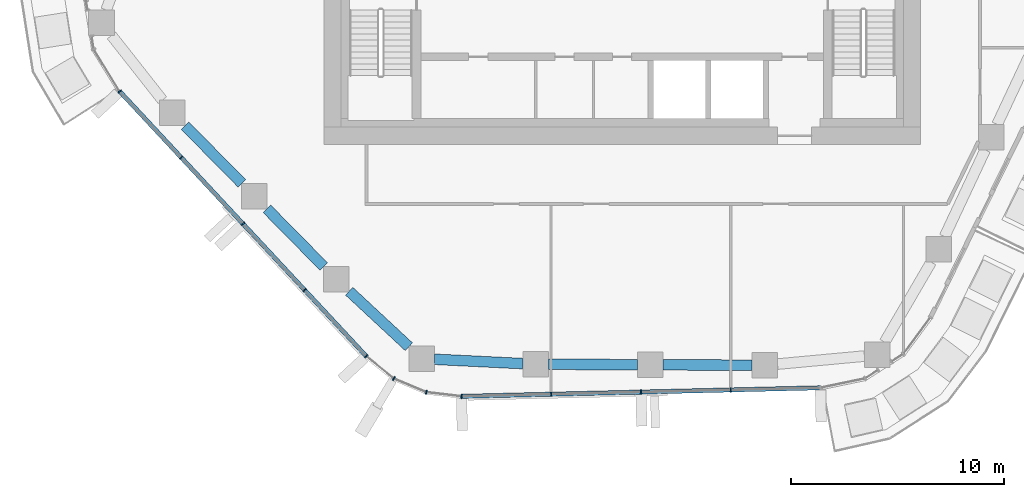
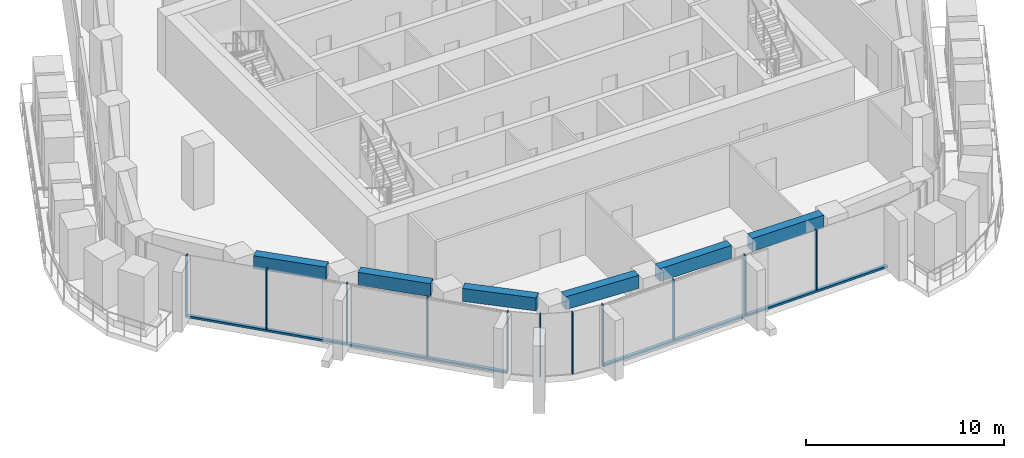
# One storey, part 2 of 17: 13 members, 6 beams, 4 elements without a shape of their own.
"""IFC4 building model written with IfcOpenShell, lengths in metres."""

from ifc_helpers import new_model, si_unit, direction, frame, origin, origin_2d, place, context, subcontext, project, spatial, rectangle, extrude, material, layer, layer_set, material_profile, profile_set, type_object, element, aggregate, save


model = new_model("IFC4")

# Units and contexts
model_context = context("Model", 3, precision=1e-05, world=origin(), true_north=direction((0.0, 1.0)))
body_context = subcontext(model_context, "Body", "Model", "MODEL_VIEW")
ifc_project = project(units=[si_unit("LENGTHUNIT", "METRE"), si_unit("AREAUNIT", "SQUARE_METRE"), si_unit("VOLUMEUNIT", "CUBIC_METRE"), si_unit("PLANEANGLEUNIT", "RADIAN"), si_unit("MASSUNIT", "GRAM", prefix="KILO")], contexts=[model_context])

# Site, building, storey
site_placement = place(None, origin())
site = spatial("IfcSite", under=ifc_project, at=site_placement, CompositionType="ELEMENT")
building_placement = place(site_placement, origin())
building = spatial("IfcBuilding", under=site, at=building_placement, Name="Dongbaek Canopy Tower", CompositionType="ELEMENT")
storey_placement = place(building_placement, frame((0.0, 0.0, 211.39990234375)))
storey = spatial("IfcBuildingStorey", under=building, at=storey_placement, Name="L44", CompositionType="ELEMENT", Elevation=211.39990234375)

# Curtain wall, member
ifc_material_1 = material(Name="Aluminium 6063-T6 pale anodised", Category="aluminium")
ifc_layer = layer(ifc_material_1, 0.199951171875)
ifc_layer_set = layer_set([ifc_layer], Name="CW-1 unitised tower curtain wall")
curtain_wall_type = type_object("IfcCurtainWallType", Name="CW-1 unitised tower curtain wall", PredefinedType="NOTDEFINED", material=ifc_layer_set)
curtain_wall_1_placement = place(storey_placement, origin())
curtain_wall_1 = element("IfcCurtainWall", 1, at=curtain_wall_1_placement, inside=storey, type_object=curtain_wall_type, Name="CW-1 curtain wall K3.1b", PredefinedType="NOTDEFINED")
ifc_material_2 = material(Name="Aluminium 6063-T6 pale anodised", Category="aluminium")
ifc_material_profile_1 = material_profile(ifc_material_2, rectangle(XDim=0.199951171875, YDim=0.06005859375, at=origin_2d()), Name="CW-1 mullion 60 x 200")
ifc_profile_set_1 = profile_set([ifc_material_profile_1], Name="Aluminium 6063-T6 pale anodised")
member_type_1 = type_object("IfcMemberType", Name="CW-1 mullion 60 x 200", PredefinedType="MULLION", material=ifc_profile_set_1)
member_1_placement = place(storey_placement, frame((-23.57958984375, -8.519775390625, 0.0), z_axis=(0.0, 0.0, 1.0), x_axis=(-0.85162616267, -0.52414967238, 0.0)))
member_1 = element("IfcMember", 2, at=member_1_placement, type_object=member_type_1, Name="CW-1 mullion K3.1b.3", PredefinedType="MULLION", context=body_context, shape_type="SweptSolid", body=[
    extrude(rectangle(XDim=0.199951171875, YDim=0.06005859375, at=origin_2d()), origin(), (0.0, 0.0, 1.0), 3.820068359375),
])
aggregate(curtain_wall_1, [member_1])

# Curtain wall, members
curtain_wall_2_placement = place(storey_placement, origin())
curtain_wall_2 = element("IfcCurtainWall", 3, at=curtain_wall_2_placement, inside=storey, type_object=curtain_wall_type, Name="CW-1 curtain wall F3.1", PredefinedType="NOTDEFINED")
member_2_placement = place(storey_placement, frame((-20.6904296875, -11.622802734375, 0.1201171875), z_axis=(0.0, 0.0, 1.0), x_axis=(-0.73191359076, -0.681397457921, 0.0)))
member_2 = element("IfcMember", 4, at=member_2_placement, type_object=member_type_1, Name="CW-1 mullion F3.1.2", PredefinedType="MULLION", context=body_context, shape_type="SweptSolid", body=[
    extrude(rectangle(XDim=0.199951171875, YDim=0.06005859375, at=origin_2d()), origin(), (0.0, 0.0, 1.0), 3.699951171875),
])
member_3_placement = place(storey_placement, frame((-17.794921875, -14.733154296875, 0.1201171875), z_axis=(0.0, 0.0, 1.0), x_axis=(-0.73191359076, -0.681397457921, 0.0)))
member_3 = element("IfcMember", 5, at=member_3_placement, type_object=member_type_1, Name="CW-1 mullion F3.1.3", PredefinedType="MULLION", context=body_context, shape_type="SweptSolid", body=[
    extrude(rectangle(XDim=0.199951171875, YDim=0.06005859375, at=origin_2d()), origin(), (0.0, 0.0, 1.0), 3.699951171875),
])
member_4_placement = place(storey_placement, frame((-14.899169921875, -17.84375, 0.1201171875), z_axis=(0.0, 0.0, 1.0), x_axis=(-0.73191359076, -0.681397457921, 0.0)))
member_4 = element("IfcMember", 6, at=member_4_placement, type_object=member_type_1, Name="CW-1 mullion F3.1.4", PredefinedType="MULLION", context=body_context, shape_type="SweptSolid", body=[
    extrude(rectangle(XDim=0.199951171875, YDim=0.06005859375, at=origin_2d()), origin(), (0.0, 0.0, 1.0), 3.699951171875),
])
member_5_placement = place(storey_placement, frame((-12.00830078125, -20.948974609375, 0.1201171875), z_axis=(0.0, 0.0, 1.0), x_axis=(-0.73191359076, -0.681397457921, 0.0)))
member_5 = element("IfcMember", 7, at=member_5_placement, type_object=member_type_1, Name="CW-1 mullion F3.1.5", PredefinedType="MULLION", context=body_context, shape_type="SweptSolid", body=[
    extrude(rectangle(XDim=0.199951171875, YDim=0.06005859375, at=origin_2d()), origin(), (0.0, 0.0, 1.0), 3.699951171875),
])

curtain_wall_3_placement = place(storey_placement, origin())
curtain_wall_3 = element("IfcCurtainWall", 8, at=curtain_wall_3_placement, inside=storey, type_object=curtain_wall_type, Name="CW-1 curtain wall K4.1", PredefinedType="NOTDEFINED")
member_6_placement = place(storey_placement, frame((-10.71533203125, -21.9951171875, 0.0), z_axis=(0.0, 0.0, 1.0), x_axis=(-0.513678785815, -0.857982578497, 0.0)))
member_6 = element("IfcMember", 9, at=member_6_placement, type_object=member_type_1, Name="CW-1 mullion K4.1.2", PredefinedType="MULLION", context=body_context, shape_type="SweptSolid", body=[
    extrude(rectangle(XDim=0.199951171875, YDim=0.06005859375, at=origin_2d()), origin(), (0.0, 0.0, 1.0), 3.820068359375),
])
member_7_placement = place(storey_placement, frame((-9.189208984375, -22.637939453125, 0.0), z_axis=(0.0, 0.0, 1.0), x_axis=(-0.254961605633, -0.966951177492, 0.0)))
member_7 = element("IfcMember", 10, at=member_7_placement, type_object=member_type_1, Name="CW-1 mullion K4.1.3", PredefinedType="MULLION", context=body_context, shape_type="SweptSolid", body=[
    extrude(rectangle(XDim=0.199951171875, YDim=0.06005859375, at=origin_2d()), origin(), (0.0, 0.0, 1.0), 3.820068359375),
])
member_8_placement = place(storey_placement, frame((-7.537353515625, -22.83203125, 0.0), z_axis=(0.0, 0.0, 1.0), x_axis=(-0.116711873708, -0.993165816234, 0.0)))
member_8 = element("IfcMember", 11, at=member_8_placement, type_object=member_type_1, Name="CW-1 mullion K4.1.4", PredefinedType="MULLION", context=body_context, shape_type="SweptSolid", body=[
    extrude(rectangle(XDim=0.199951171875, YDim=0.06005859375, at=origin_2d()), origin(), (0.0, 0.0, 1.0), 3.820068359375),
])
aggregate(curtain_wall_3, [member_6, member_7, member_8])

curtain_wall_4_placement = place(storey_placement, origin())
curtain_wall_4 = element("IfcCurtainWall", 12, at=curtain_wall_4_placement, inside=storey, type_object=curtain_wall_type, Name="CW-1 curtain wall F4.1", PredefinedType="NOTDEFINED")
member_9_placement = place(storey_placement, frame((-3.329345703125, -22.7314453125, 0.1201171875), z_axis=(0.0, 0.0, 1.0), x_axis=(0.023848776152, -0.99971557749, 0.0)))
member_9 = element("IfcMember", 13, at=member_9_placement, type_object=member_type_1, Name="CW-1 mullion F4.1.2", PredefinedType="MULLION", context=body_context, shape_type="SweptSolid", body=[
    extrude(rectangle(XDim=0.199951171875, YDim=0.06005859375, at=origin_2d()), origin(), (0.0, 0.0, 1.0), 3.699951171875),
])
member_10_placement = place(storey_placement, frame((0.8857421875, -22.631103515625, 0.1201171875), z_axis=(0.0, 0.0, 1.0), x_axis=(0.023848776152, -0.99971557749, 0.0)))
member_10 = element("IfcMember", 14, at=member_10_placement, type_object=member_type_1, Name="CW-1 mullion F4.1.3", PredefinedType="MULLION", context=body_context, shape_type="SweptSolid", body=[
    extrude(rectangle(XDim=0.199951171875, YDim=0.06005859375, at=origin_2d()), origin(), (0.0, 0.0, 1.0), 3.699951171875),
])
member_11_placement = place(storey_placement, frame((5.100830078125, -22.530517578125, 0.1201171875), z_axis=(0.0, 0.0, 1.0), x_axis=(0.023848776152, -0.99971557749, 0.0)))
member_11 = element("IfcMember", 15, at=member_11_placement, type_object=member_type_1, Name="CW-1 mullion F4.1.4", PredefinedType="MULLION", context=body_context, shape_type="SweptSolid", body=[
    extrude(rectangle(XDim=0.199951171875, YDim=0.06005859375, at=origin_2d()), origin(), (0.0, 0.0, 1.0), 3.699951171875),
])

# Member
ifc_material_3 = material(Name="Aluminium 6063-T6 pale anodised", Category="aluminium")
ifc_material_profile_2 = material_profile(ifc_material_3, rectangle(XDim=0.199951171875, YDim=0.1201171875, at=origin_2d()), Name="CW-1 transom 120 x 200")
ifc_profile_set_2 = profile_set([ifc_material_profile_2], Name="Aluminium 6063-T6 pale anodised")
member_type_2 = type_object("IfcMemberType", Name="CW-1 transom 120 x 200", PredefinedType="USERDEFINED", material=ifc_profile_set_2)
member_12_placement = place(storey_placement, frame((-23.57958984375, -8.519775390625, 0.06005859375), z_axis=(0.681395689775, -0.731915236865, 0.0), x_axis=(0.731915236865, 0.681395689775, 0.0)))
member_12 = element("IfcMember", 16, at=member_12_placement, type_object=member_type_2, Name="CW-1 transom F3.1.1", ObjectType="TRANSOM", PredefinedType="USERDEFINED", context=body_context, shape_type="SweptSolid", body=[
    extrude(rectangle(XDim=0.199951171875, YDim=0.1201171875, at=origin_2d()), origin(), (0.0, 0.0, 1.0), 16.981689453125),
])

aggregate(curtain_wall_2, [member_2, member_3, member_4, member_5, member_12])

member_13_placement = place(storey_placement, frame((-7.537353515625, -22.83203125, 0.06005859375), z_axis=(0.999715531448, 0.023850706083, 0.0), x_axis=(-0.023850706083, 0.999715531448, 0.0)))
member_13 = element("IfcMember", 17, at=member_13_placement, type_object=member_type_2, Name="CW-1 transom F4.1.1", ObjectType="TRANSOM", PredefinedType="USERDEFINED", context=body_context, shape_type="SweptSolid", body=[
    extrude(rectangle(XDim=0.199951171875, YDim=0.1201171875, at=origin_2d()), origin(), (0.0, 0.0, 1.0), 16.848876953125),
])

aggregate(curtain_wall_4, [member_9, member_10, member_11, member_13])

# Beams
ifc_material_4 = material(Name="Concrete C70", Category="concrete")
ifc_material_profile_3 = material_profile(ifc_material_4, rectangle(XDim=0.5, YDim=0.800048828125, at=origin_2d()), Name="RC EDGE BEAM 500x800 C70")
ifc_profile_set_3 = profile_set([ifc_material_profile_3], Name="Concrete C70")
beam_type = type_object("IfcBeamType", Name="RC EDGE BEAM 500x800 C70", PredefinedType="BEAM", material=ifc_profile_set_3)
beam_1_placement = place(storey_placement, frame((6.097900390625, -21.369384765625, 3.420166015625), z_axis=(-0.999989872655, 0.004500509685, 0.0), x_axis=(-0.004500509685, -0.999989872655, 0.0)))
element("IfcBeam", 18, at=beam_1_placement, inside=storey, type_object=beam_type, Name="EDGEBEAM:L44:01", PredefinedType="BEAM", context=body_context, shape_type="SweptSolid", body=[
    extrude(rectangle(XDim=0.5, YDim=0.800048828125, at=origin_2d()), origin(), (0.0, 0.0, 1.0), 4.177001953125),
])
beam_2_placement = place(storey_placement, frame((0.720947265625, -21.34521484375, 3.420166015625), z_axis=(-0.999990129376, 0.004443101423, 0.0), x_axis=(-0.004443101423, -0.999990129376, 0.0)))
element("IfcBeam", 19, at=beam_2_placement, inside=storey, type_object=beam_type, Name="EDGEBEAM:L44:02", PredefinedType="BEAM", context=body_context, shape_type="SweptSolid", body=[
    extrude(rectangle(XDim=0.5, YDim=0.800048828125, at=origin_2d()), origin(), (0.0, 0.0, 1.0), 4.176025390625),
])
beam_3_placement = place(storey_placement, frame((-4.655029296875, -21.29443359375, 3.420166015625), z_axis=(-0.998797460552, 0.04902685789, 0.0), x_axis=(-0.04902685789, -0.998797460552, 0.0)))
element("IfcBeam", 20, at=beam_3_placement, inside=storey, type_object=beam_type, Name="EDGEBEAM:L44:03", PredefinedType="BEAM", context=body_context, shape_type="SweptSolid", body=[
    extrude(rectangle(XDim=0.5, YDim=0.800048828125, at=origin_2d()), origin(), (0.0, 0.0, 1.0), 4.157958984375),
])
beam_4_placement = place(storey_placement, frame((-10.008056640625, -20.5029296875, 3.420166015625), z_axis=(-0.732259249265, 0.681025984722, 0.0), x_axis=(-0.681025984722, -0.732259249265, 0.0)))
element("IfcBeam", 21, at=beam_4_placement, inside=storey, type_object=beam_type, Name="EDGEBEAM:L44:04", PredefinedType="BEAM", context=body_context, shape_type="SweptSolid", body=[
    extrude(rectangle(XDim=0.5, YDim=0.800048828125, at=origin_2d()), origin(), (0.0, 0.0, 1.0), 3.826416015625),
])
beam_5_placement = place(storey_placement, frame((-14.0009765625, -16.739013671875, 3.420166015625), z_axis=(-0.701688575516, 0.71248378437, 0.0), x_axis=(-0.71248378437, -0.701688575516, 0.0)))
element("IfcBeam", 22, at=beam_5_placement, inside=storey, type_object=beam_type, Name="EDGEBEAM:L44:05", PredefinedType="BEAM", context=body_context, shape_type="SweptSolid", body=[
    extrude(rectangle(XDim=0.5, YDim=0.800048828125, at=origin_2d()), origin(), (0.0, 0.0, 1.0), 3.79931640625),
])
beam_6_placement = place(storey_placement, frame((-17.848876953125, -12.83203125, 3.420166015625), z_axis=(-0.701721192392, 0.712451660218, 0.0), x_axis=(-0.712451660218, -0.701721192392, 0.0)))
element("IfcBeam", 23, at=beam_6_placement, inside=storey, type_object=beam_type, Name="EDGEBEAM:L44:06", PredefinedType="BEAM", context=body_context, shape_type="SweptSolid", body=[
    extrude(rectangle(XDim=0.5, YDim=0.800048828125, at=origin_2d()), origin(), (0.0, 0.0, 1.0), 3.799560546875),
])

save(model, "model.ifc")
